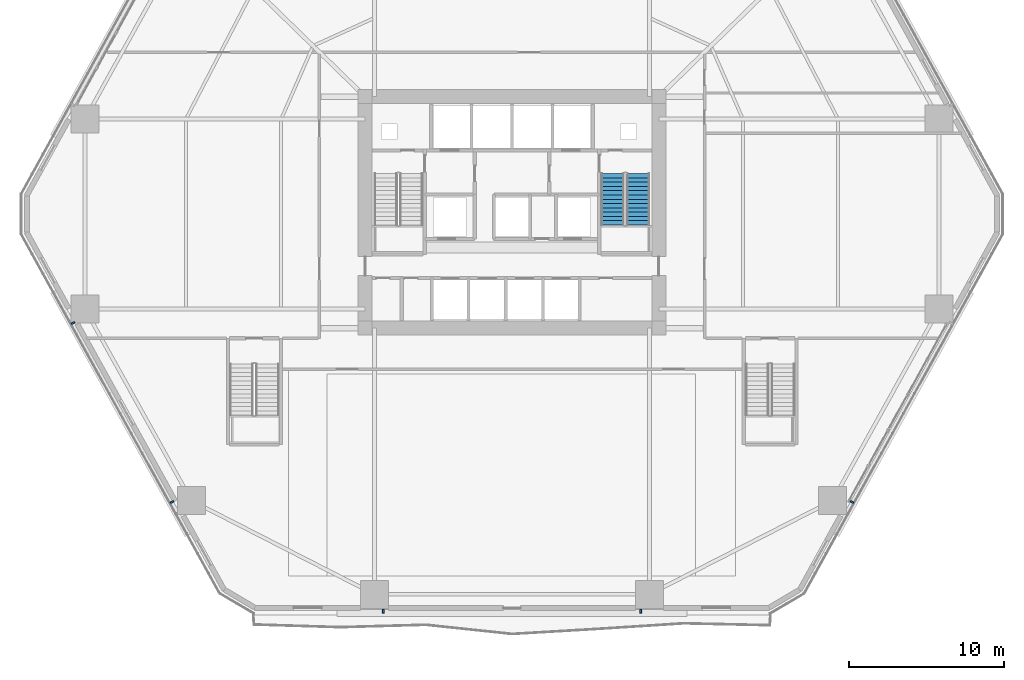
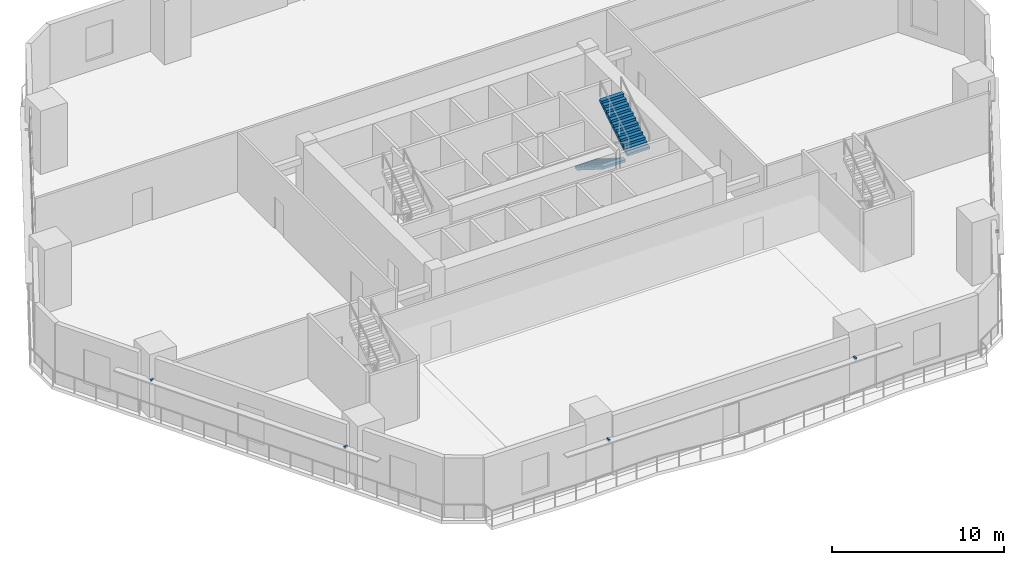
# One storey, part 12 of 21: 5 discrete accessories, 2 stair flights, 1 element without a shape of its own.
"""IFC4 building model written with IfcOpenShell, lengths in metres."""

from ifc_helpers import new_model, si_unit, direction, frame, origin, origin_2d, place, context, subcontext, project, spatial, polyline, rectangle, outline, extrude, material, type_object, element, aggregate, save


model = new_model("IFC4")

# Units and contexts
model_context = context("Model", 3, precision=1e-05, world=origin(), true_north=direction((0.0, 1.0)))
body_context = subcontext(model_context, "Body", "Model", "MODEL_VIEW")
ifc_project = project(units=[si_unit("LENGTHUNIT", "METRE"), si_unit("AREAUNIT", "SQUARE_METRE"), si_unit("VOLUMEUNIT", "CUBIC_METRE"), si_unit("PLANEANGLEUNIT", "RADIAN"), si_unit("MASSUNIT", "GRAM", prefix="KILO")], contexts=[model_context])

# Site, building, storey
site_placement = place(None, origin())
site = spatial("IfcSite", under=ifc_project, at=site_placement, CompositionType="ELEMENT")
building_placement = place(site_placement, origin())
building = spatial("IfcBuilding", under=site, at=building_placement, Name="Cinnabar Lancet Tower", CompositionType="ELEMENT")
storey_placement = place(building_placement, frame((0.0, 0.0, 6.0)))
storey = spatial("IfcBuildingStorey", under=building, at=storey_placement, Name="L01", CompositionType="ELEMENT", Elevation=6.0)

# Stair, stair flights
ifc_material_1 = material(Name="Concrete C40/50", Category="concrete")
stair_type = type_object("IfcStairType", Name="ST-CORE", PredefinedType="HALF_TURN_STAIR", material=ifc_material_1)
stair_placement = place(storey_placement, origin())
stair = element("IfcStair", 1, at=stair_placement, inside=storey, type_object=stair_type, Name="L01 ST-2", PredefinedType="HALF_TURN_STAIR")
ifc_material_2 = material(Name="Concrete C40/50", Category="concrete")
stair_flight_type = type_object("IfcStairFlightType", Name="FLIGHT-CORE", PredefinedType="STRAIGHT", material=ifc_material_2)
stair_flight_1_placement = place(storey_placement, frame((38.875, 28.39990234375, 0.0), z_axis=(0.0, 0.0, 1.0), x_axis=(0.0, -1.0, 0.0)))
stair_flight_1 = element("IfcStairFlight", 2, at=stair_flight_1_placement, type_object=stair_flight_type, Name="ST-2 flight 1", NumberOfRisers=13, NumberOfTreads=12, PredefinedType="STRAIGHT", RiserHeight=0.173076923, TreadLength=0.275, context=body_context, shape_type="SweptSolid", body=[
    extrude(outline(polyline([(0.0, 0.0), (0.0, 0.173095703125), (0.27490234375, 0.173095703125), (0.27490234375, 0.34619140625), (0.550048828125, 0.34619140625), (0.550048828125, 0.519287109375), (0.824951171875, 0.519287109375), (0.824951171875, 0.6923828125), (1.10009765625, 0.6923828125), (1.10009765625, 0.865478515625), (1.375, 0.865478515625), (1.375, 1.03857421875), (1.64990234375, 1.03857421875), (1.64990234375, 1.21142578125), (1.925048828125, 1.21142578125), (1.925048828125, 1.384521484375), (2.199951171875, 1.384521484375), (2.199951171875, 1.5576171875), (2.47509765625, 1.5576171875), (2.47509765625, 1.730712890625), (2.75, 1.730712890625), (2.75, 1.90380859375), (3.02490234375, 1.90380859375), (3.02490234375, 2.076904296875), (3.300048828125, 2.076904296875), (3.300048828125, 2.25), (3.300048828125, 1.89990234375), (0.281494140625, 0.0), (0.0, 0.0)])), frame((0.0, 0.75, 0.0), z_axis=(0.0, -1.0, 0.0), x_axis=(1.0, 0.0, 0.0)), (0.0, 0.0, 1.0), 1.5),
])
stair_flight_2_placement = place(storey_placement, frame((40.52490234375, 25.10009765625, 2.25), z_axis=(0.0, 0.0, 1.0), x_axis=(0.0, 1.0, 0.0)))
stair_flight_2 = element("IfcStairFlight", 3, at=stair_flight_2_placement, type_object=stair_flight_type, Name="ST-2 flight 2", NumberOfRisers=13, NumberOfTreads=12, PredefinedType="STRAIGHT", RiserHeight=0.173076923, TreadLength=0.275, context=body_context, shape_type="SweptSolid", body=[
    extrude(outline(polyline([(0.0, 0.0), (0.0, 0.173095703125), (0.27490234375, 0.173095703125), (0.27490234375, 0.34619140625), (0.550048828125, 0.34619140625), (0.550048828125, 0.519287109375), (0.824951171875, 0.519287109375), (0.824951171875, 0.6923828125), (1.10009765625, 0.6923828125), (1.10009765625, 0.865478515625), (1.375, 0.865478515625), (1.375, 1.03857421875), (1.64990234375, 1.03857421875), (1.64990234375, 1.21142578125), (1.925048828125, 1.21142578125), (1.925048828125, 1.384521484375), (2.199951171875, 1.384521484375), (2.199951171875, 1.5576171875), (2.47509765625, 1.5576171875), (2.47509765625, 1.730712890625), (2.75, 1.730712890625), (2.75, 1.90380859375), (3.02490234375, 1.90380859375), (3.02490234375, 2.076904296875), (3.300048828125, 2.076904296875), (3.300048828125, 2.25), (3.300048828125, 1.89990234375), (0.281494140625, 0.0), (0.0, 0.0)])), frame((0.0, 0.75, 0.0), z_axis=(0.0, -1.0, 0.0), x_axis=(1.0, 0.0, 0.0)), (0.0, 0.0, 1.0), 1.5),
])
aggregate(stair, [stair_flight_1, stair_flight_2])

# Discrete accessories
ifc_material_3 = material(Name="Stainless steel 316 facade fixing bracket", Category="steel")
discrete_accessory_type = type_object("IfcDiscreteAccessoryType", Name="ENV-ACC-BRK-180", PredefinedType="BRACKET", material=ifc_material_3)
for number, where, z_axis, x_axis, name in (
    (4, (24.115966796875, 0.22998046875, 2.60009765625), (0.0, 0.0, 1.0), (1.0, 0.0, 0.0), "L01 Face 1 Sunshade Bracket A"),
    (5, (40.68408203125, 0.22998046875, 2.60009765625), (0.0, 0.0, 1.0), (1.0, 0.0, 0.0), "L01 Face 1 Sunshade Bracket B"),
    (6, (54.2919921875, 7.259033203125, 2.60009765625), (0.0, 0.0, 1.0), (0.483679606683, 0.87524513028, 0.0), "L01 Face 2 Sunshade Bracket A"),
    (7, (4.14111328125, 18.781005859375, 2.60009765625), (0.0, 0.0, 1.0), (0.483679606683, -0.87524513028, 0.0), "L01 Face 6 Sunshade Bracket A"),
    (8, (10.508056640625, 7.259033203125, 2.60009765625), (0.0, 0.0, 1.0), (0.483679606683, -0.87524513028, 0.0), "L01 Face 6 Sunshade Bracket B"),
):
    element("IfcDiscreteAccessory", number, at=place(storey_placement, frame(where, z_axis=z_axis, x_axis=x_axis)), inside=storey, type_object=discrete_accessory_type, Name=name, PredefinedType="BRACKET", context=body_context, shape_type="SweptSolid", body=[
        extrude(rectangle(XDim=0.1201171875, YDim=0.239990234375, at=origin_2d()), origin(), (0.0, 0.0, 1.0), 0.159912109375),
    ])

save(model, "model.ifc")
